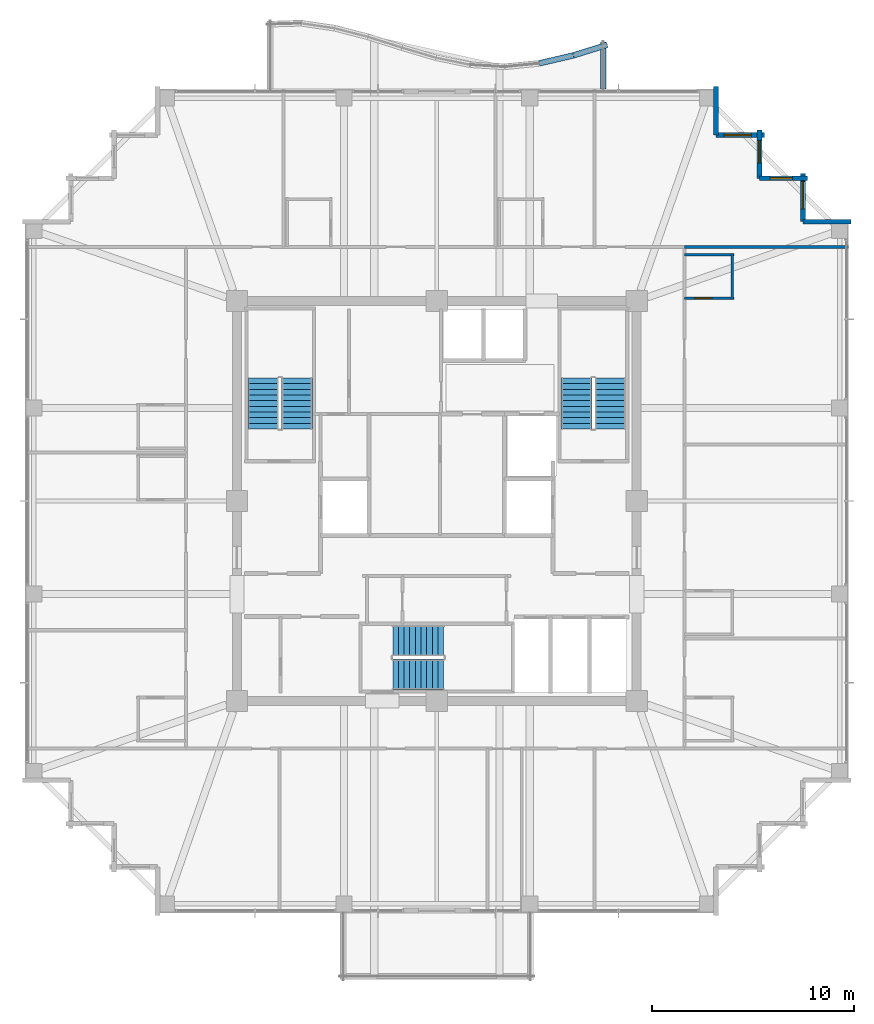
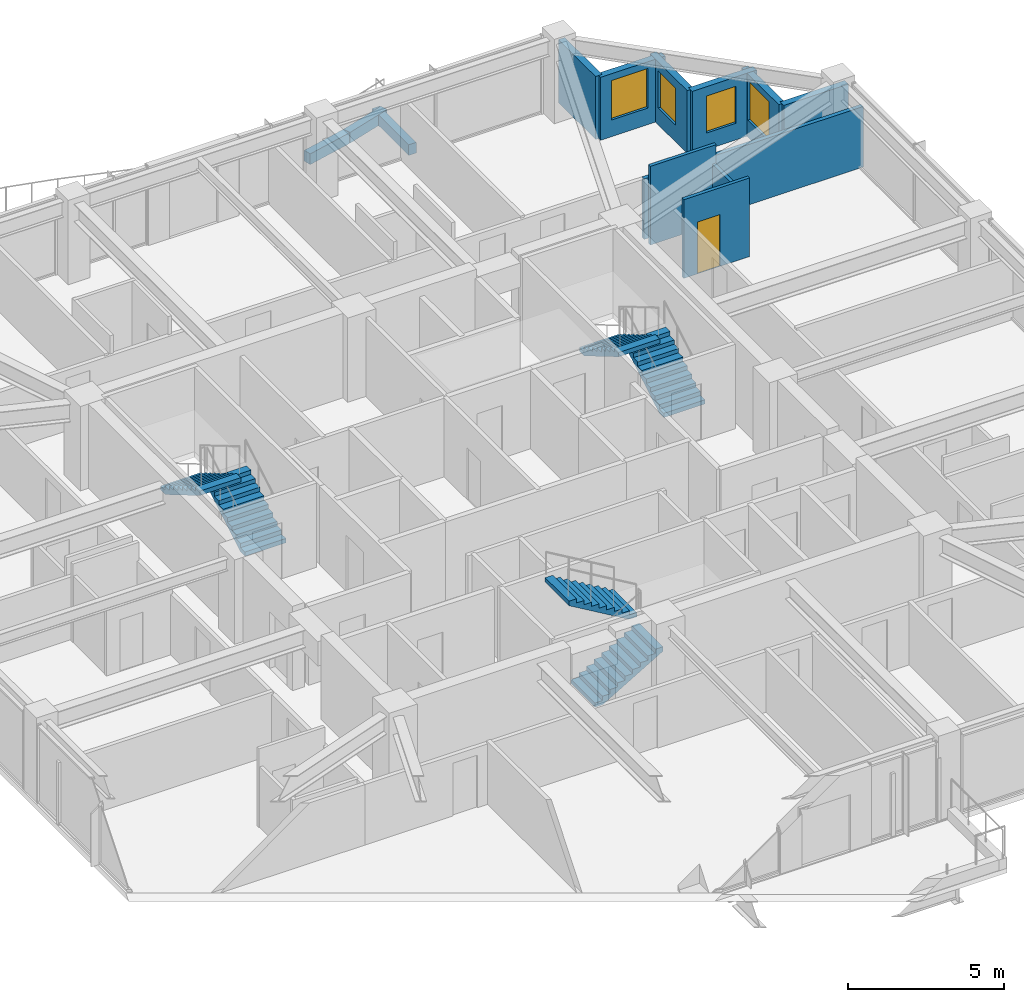
# One storey, part 34 of 36: 13 walls, 6 stair flights, 4 windows, 1 door, 5 openings, 3 elements without a shape of their own.
"""IFC4 building model written with IfcOpenShell, lengths in metres."""

from ifc_helpers import new_model, si_unit, direction, frame, frame_2d, origin, place, context, subcontext, project, spatial, polyline, rectangle, outline, extrude, material, layer, layer_set, type_object, element, fill, aggregate, save


model = new_model("IFC4")

# Units and contexts
model_context = context("Model", 3, precision=1e-05, world=origin(), true_north=direction((0.0, 1.0)))
body_context = subcontext(model_context, "Body", "Model", "MODEL_VIEW")
ifc_project = project(units=[si_unit("LENGTHUNIT", "METRE"), si_unit("AREAUNIT", "SQUARE_METRE"), si_unit("VOLUMEUNIT", "CUBIC_METRE"), si_unit("PLANEANGLEUNIT", "RADIAN"), si_unit("MASSUNIT", "GRAM", prefix="KILO")], contexts=[model_context])

# Site, building, storey
site_placement = place(None, origin())
site = spatial("IfcSite", under=ifc_project, at=site_placement, CompositionType="ELEMENT")
building_placement = place(site_placement, origin())
building = spatial("IfcBuilding", under=site, at=building_placement, Name="Kolvaren Belvedere", CompositionType="ELEMENT")
storey_placement = place(building_placement, frame((0.0, 0.0, 226.199951171875)))
storey = spatial("IfcBuildingStorey", under=building, at=storey_placement, Name="L66", CompositionType="ELEMENT", Elevation=226.199951171875)

# Wall
ifc_material_1 = material(Name="Insulated pale-metal facade wall assembly", Category="aluminium")
ifc_layer_1 = layer(ifc_material_1, 0.239990234375)
ifc_layer_set_1 = layer_set([ifc_layer_1], Name="Insulated pale-metal facade wall assembly")
wall_type_1 = type_object("IfcWallType", Name="WL-EXT-240", PredefinedType="STANDARD", material=ifc_layer_set_1)
wall_1_placement = place(storey_placement, frame((18.1298828125, 13.830078125, 0.0), z_axis=(0.0, 0.0, 1.0), x_axis=(1.0, 0.0, 0.0)))
element("IfcWall", 1, at=wall_1_placement, inside=storey, type_object=wall_type_1, Name="L66 Serrated Corner Facade Wall 9", PredefinedType="STANDARD", context=body_context, shape_type="SweptSolid", body=[
    extrude(rectangle(XDim=2.39013671875, YDim=0.239990234375, at=frame_2d((1.195068359375, 0.0))), origin(), (0.0, 0.0, 1.0), 2.463134765625),
])

# Wall, opening, window
wall_2_placement = place(storey_placement, frame((18.1298828125, 16.219970703125, 0.0), z_axis=(0.0, 0.0, 1.0), x_axis=(0.0, -1.0, 0.0)))
wall_2 = element("IfcWall", 2, at=wall_2_placement, inside=storey, type_object=wall_type_1, Name="L66 Serrated Corner Facade Wall 10", PredefinedType="STANDARD", context=body_context, shape_type="SweptSolid", body=[
    extrude(rectangle(XDim=2.389892578125, YDim=0.239990234375, at=frame_2d((1.19482421875, 0.0))), origin(), (0.0, 0.0, 1.0), 2.463134765625),
])
opening_1_placement = place(wall_2_placement, frame((0.39990234375, 0.0, 0.64990234375)))
opening_1 = element("IfcOpeningElement", 3, at=opening_1_placement, cuts=wall_2, Name="Opening W-1350", PredefinedType="OPENING", context=body_context, shape_type="SweptSolid", body=[
    extrude(rectangle(XDim=1.35009765625, YDim=1.550048828125, at=frame_2d((0.675048828125, 0.77490234375))), frame((0.0, 0.1298828125, 0.0), z_axis=(0.0, -1.0, 0.0), x_axis=(1.0, 0.0, 0.0)), (0.0, 0.0, 1.0), 0.260009765625),
])
ifc_material_2 = material(Name="Low-iron triple insulated glass", Category="glass")
window_type_1 = type_object("IfcWindowType", Name="WN-CORN-1350", PartitioningType="SINGLE_PANEL", PredefinedType="WINDOW", material=ifc_material_2)
window_1_placement = place(opening_1_placement, origin())
window_1 = element("IfcWindow", 4, at=window_1_placement, inside=storey, type_object=window_type_1, Name="L66 Serrated Corner Vision Window 10", OverallHeight=1.550048828125, OverallWidth=1.35009765625, PartitioningType="SINGLE_PANEL", PredefinedType="WINDOW", context=body_context, shape_type="SweptSolid", body=[
    extrude(rectangle(XDim=1.35009765625, YDim=1.550048828125, at=frame_2d((0.675048828125, 0.77490234375))), frame((0.0, 0.030029296875, 0.0), z_axis=(0.0, -1.0, 0.0), x_axis=(1.0, 0.0, 0.0)), (0.0, 0.0, 1.0), 0.06005859375),
])
fill(opening_1, window_1)

wall_3_placement = place(storey_placement, frame((15.97998046875, 15.97998046875, 0.0), z_axis=(0.0, 0.0, 1.0), x_axis=(1.0, 0.0, 0.0)))
wall_3 = element("IfcWall", 5, at=wall_3_placement, inside=storey, type_object=wall_type_1, Name="L66 Serrated Corner Facade Wall 11", PredefinedType="STANDARD", context=body_context, shape_type="SweptSolid", body=[
    extrude(rectangle(XDim=2.39013671875, YDim=0.239990234375, at=frame_2d((1.195068359375, 0.0))), origin(), (0.0, 0.0, 1.0), 2.463134765625),
])
opening_2_placement = place(wall_3_placement, frame((0.52490234375, 0.0, 0.64990234375)))
opening_2 = element("IfcOpeningElement", 6, at=opening_2_placement, cuts=wall_3, Name="Opening W-1100", PredefinedType="OPENING", context=body_context, shape_type="SweptSolid", body=[
    extrude(rectangle(XDim=1.10009765625, YDim=1.449951171875, at=frame_2d((0.550048828125, 0.72509765625))), frame((0.0, 0.1298828125, 0.0), z_axis=(0.0, -1.0, 0.0), x_axis=(1.0, 0.0, 0.0)), (0.0, 0.0, 1.0), 0.260009765625),
])
ifc_material_3 = material(Name="Low-iron triple insulated glass", Category="glass")
window_type_2 = type_object("IfcWindowType", Name="WN-CORN-1100", PartitioningType="SINGLE_PANEL", PredefinedType="WINDOW", material=ifc_material_3)
window_2_placement = place(opening_2_placement, origin())
window_2 = element("IfcWindow", 7, at=window_2_placement, inside=storey, type_object=window_type_2, Name="L66 Serrated Corner Vision Window 11", OverallHeight=1.449951171875, OverallWidth=1.10009765625, PartitioningType="SINGLE_PANEL", PredefinedType="WINDOW", context=body_context, shape_type="SweptSolid", body=[
    extrude(rectangle(XDim=1.10009765625, YDim=1.449951171875, at=frame_2d((0.550048828125, 0.72509765625))), frame((0.0, 0.030029296875, 0.0), z_axis=(0.0, -1.0, 0.0), x_axis=(1.0, 0.0, 0.0)), (0.0, 0.0, 1.0), 0.06005859375),
])
fill(opening_2, window_2)

wall_4_placement = place(storey_placement, frame((15.97998046875, 18.3701171875, 0.0), z_axis=(0.0, 0.0, 1.0), x_axis=(0.0, -1.0, 0.0)))
wall_4 = element("IfcWall", 8, at=wall_4_placement, inside=storey, type_object=wall_type_1, Name="L66 Serrated Corner Facade Wall 12", PredefinedType="STANDARD", context=body_context, shape_type="SweptSolid", body=[
    extrude(rectangle(XDim=2.39013671875, YDim=0.239990234375, at=frame_2d((1.195068359375, 0.0))), origin(), (0.0, 0.0, 1.0), 2.463134765625),
])
opening_3_placement = place(wall_4_placement, frame((0.52490234375, 0.0, 0.64990234375)))
opening_3 = element("IfcOpeningElement", 9, at=opening_3_placement, cuts=wall_4, Name="Opening W-1100", PredefinedType="OPENING", context=body_context, shape_type="SweptSolid", body=[
    extrude(rectangle(XDim=1.10009765625, YDim=1.449951171875, at=frame_2d((0.550048828125, 0.72509765625))), frame((0.0, 0.1298828125, 0.0), z_axis=(0.0, -1.0, 0.0), x_axis=(1.0, 0.0, 0.0)), (0.0, 0.0, 1.0), 0.260009765625),
])
window_3_placement = place(opening_3_placement, origin())
window_3 = element("IfcWindow", 10, at=window_3_placement, inside=storey, type_object=window_type_2, Name="L66 Serrated Corner Vision Window 12", OverallHeight=1.449951171875, OverallWidth=1.10009765625, PartitioningType="SINGLE_PANEL", PredefinedType="WINDOW", context=body_context, shape_type="SweptSolid", body=[
    extrude(rectangle(XDim=1.10009765625, YDim=1.449951171875, at=frame_2d((0.550048828125, 0.72509765625))), frame((0.0, 0.030029296875, 0.0), z_axis=(0.0, -1.0, 0.0), x_axis=(1.0, 0.0, 0.0)), (0.0, 0.0, 1.0), 0.06005859375),
])
fill(opening_3, window_3)

wall_5_placement = place(storey_placement, frame((13.830078125, 18.1298828125, 0.0), z_axis=(0.0, 0.0, 1.0), x_axis=(1.0, 0.0, 0.0)))
wall_5 = element("IfcWall", 11, at=wall_5_placement, inside=storey, type_object=wall_type_1, Name="L66 Serrated Corner Facade Wall 13", PredefinedType="STANDARD", context=body_context, shape_type="SweptSolid", body=[
    extrude(rectangle(XDim=2.389892578125, YDim=0.239990234375, at=frame_2d((1.19482421875, 0.0))), origin(), (0.0, 0.0, 1.0), 2.463134765625),
])
opening_4_placement = place(wall_5_placement, frame((0.39990234375, 0.0, 0.64990234375)))
opening_4 = element("IfcOpeningElement", 12, at=opening_4_placement, cuts=wall_5, Name="Opening W-1350", PredefinedType="OPENING", context=body_context, shape_type="SweptSolid", body=[
    extrude(rectangle(XDim=1.35009765625, YDim=1.550048828125, at=frame_2d((0.675048828125, 0.77490234375))), frame((0.0, 0.1298828125, 0.0), z_axis=(0.0, -1.0, 0.0), x_axis=(1.0, 0.0, 0.0)), (0.0, 0.0, 1.0), 0.260009765625),
])
window_4_placement = place(opening_4_placement, origin())
window_4 = element("IfcWindow", 13, at=window_4_placement, inside=storey, type_object=window_type_1, Name="L66 Serrated Corner Vision Window 13", OverallHeight=1.550048828125, OverallWidth=1.35009765625, PartitioningType="SINGLE_PANEL", PredefinedType="WINDOW", context=body_context, shape_type="SweptSolid", body=[
    extrude(rectangle(XDim=1.35009765625, YDim=1.550048828125, at=frame_2d((0.675048828125, 0.77490234375))), frame((0.0, 0.030029296875, 0.0), z_axis=(0.0, -1.0, 0.0), x_axis=(1.0, 0.0, 0.0)), (0.0, 0.0, 1.0), 0.06005859375),
])
fill(opening_4, window_4)

# Walls
wall_6_placement = place(storey_placement, frame((13.830078125, 20.52001953125, 0.0), z_axis=(0.0, 0.0, 1.0), x_axis=(0.0, -1.0, 0.0)))
element("IfcWall", 14, at=wall_6_placement, inside=storey, type_object=wall_type_1, Name="L66 Serrated Corner Facade Wall 14", PredefinedType="STANDARD", context=body_context, shape_type="SweptSolid", body=[
    extrude(rectangle(XDim=2.39013671875, YDim=0.239990234375, at=frame_2d((1.195068359375, 0.0))), origin(), (0.0, 0.0, 1.0), 2.463134765625),
])
ifc_material_4 = material(Name="Gypsum acoustic partition assembly", Category="gypsum")
ifc_layer_2 = layer(ifc_material_4, 0.14990234375)
ifc_layer_set_2 = layer_set([ifc_layer_2], Name="Gypsum acoustic partition assembly")
wall_type_2 = type_object("IfcWallType", Name="WL-PART-150", PredefinedType="PARTITIONING", material=ifc_layer_set_2)
wall_7_placement = place(storey_placement, frame((12.260009765625, 12.580078125, 0.0), z_axis=(0.0, 0.0, 1.0), x_axis=(1.0, 0.0, 0.0)))
element("IfcWall", 15, at=wall_7_placement, inside=storey, type_object=wall_type_2, Name="L66 Wing Divider PW-L66-QNE", PredefinedType="PARTITIONING", context=body_context, shape_type="SweptSolid", body=[
    extrude(rectangle(XDim=8.119873046875, YDim=0.14990234375, at=frame_2d((4.06005859375, 0.0))), origin(), (0.0, 0.0, 1.0), 2.369140625),
])
ifc_material_5 = material(Name="Precast concrete C40/50", Category="concrete")
ifc_layer_3 = layer(ifc_material_5, 0.300048828125)
ifc_layer_set_3 = layer_set([ifc_layer_3], Name="Precast concrete C40/50")
wall_type_3 = type_object("IfcWallType", Name="WL-PLANTER-300", PredefinedType="PARAPET", material=ifc_layer_set_3)
wall_8_placement = place(storey_placement, frame((8.239990234375, 20.39990234375, -0.0400390625), z_axis=(0.0, 0.0, 1.0), x_axis=(0.0, 1.0, 0.0)))
element("IfcWall", 16, at=wall_8_placement, inside=storey, type_object=wall_type_3, Name="L66 Precast Structural Planter Wall BAL-N-11", PredefinedType="PARAPET", context=body_context, shape_type="SweptSolid", body=[
    extrude(rectangle(XDim=2.340087890625, YDim=0.280029296875, at=frame_2d((1.169921875, 0.0))), origin(), (0.0, 0.0, 1.0), 0.420166015625),
])
wall_9_placement = place(storey_placement, frame((8.447265625, 22.587158203125, -0.0400390625), z_axis=(0.0, 0.0, 1.0), x_axis=(-0.95524013163, -0.295831524561, 0.0)))
element("IfcWall", 17, at=wall_9_placement, inside=storey, type_object=wall_type_3, Name="L66 Precast Structural Planter Wall BAL-N-12", PredefinedType="PARAPET", context=body_context, shape_type="SweptSolid", body=[
    extrude(rectangle(XDim=1.758544921875, YDim=0.280029296875, at=frame_2d((0.87939453125, 0.0))), origin(), (0.0, 0.0, 1.0), 0.420166015625),
])
wall_10_placement = place(storey_placement, frame((6.75634765625, 22.06396484375, -0.0400390625), z_axis=(0.0, 0.0, 1.0), x_axis=(-0.973890253884, -0.227019323824, 0.0)))
element("IfcWall", 18, at=wall_10_placement, inside=storey, type_object=wall_type_3, Name="L66 Precast Structural Planter Wall BAL-N-13", PredefinedType="PARAPET", context=body_context, shape_type="SweptSolid", body=[
    extrude(rectangle(XDim=1.724853515625, YDim=0.280029296875, at=frame_2d((0.8623046875, 0.0))), origin(), (0.0, 0.0, 1.0), 0.420166015625),
])

# Wall, opening, door
ifc_material_6 = material(Name="Moisture-resistant gypsum partition", Category="gypsum")
ifc_layer_4 = layer(ifc_material_6, 0.125)
ifc_layer_set_4 = layer_set([ifc_layer_4], Name="Moisture-resistant gypsum partition")
wall_type_4 = type_object("IfcWallType", Name="WL-WET-125", PredefinedType="PARTITIONING", material=ifc_layer_set_4)
wall_11_placement = place(storey_placement, frame((12.27490234375, 10.051025390625, 0.0), z_axis=(0.0, 0.0, 1.0), x_axis=(1.0, 0.0, 0.0)))
wall_11 = element("IfcWall", 19, at=wall_11_placement, inside=storey, type_object=wall_type_4, Name="L66 Bathroom Partition PW-L66-BTH-6-N", PredefinedType="PARTITIONING", context=body_context, shape_type="SweptSolid", body=[
    extrude(rectangle(XDim=2.440185546875, YDim=0.125, at=frame_2d((1.22021484375, 0.0))), origin(), (0.0, 0.0, 1.0), 3.080078125),
])
opening_5_placement = place(wall_11_placement, frame((0.5, 0.0, 0.0)))
opening_5 = element("IfcOpeningElement", 20, at=opening_5_placement, cuts=wall_11, Name="Opening D-BTH85", PredefinedType="OPENING", context=body_context, shape_type="SweptSolid", body=[
    extrude(rectangle(XDim=0.85009765625, YDim=2.030029296875, at=frame_2d((0.425048828125, 1.01513671875))), frame((0.0, 0.072509765625, 0.0), z_axis=(0.0, -1.0, 0.0), x_axis=(1.0, 0.0, 0.0)), (0.0, 0.0, 1.0), 0.14501953125),
])
ifc_material_7 = material(Name="Moisture-sealed Pacific white oak", Category="timber")
door_type = type_object("IfcDoorType", Name="DR-BATH-850", OperationType="NOTDEFINED", PredefinedType="DOOR", material=ifc_material_7)
door_placement = place(opening_5_placement, origin())
door = element("IfcDoor", 21, at=door_placement, inside=storey, type_object=door_type, Name="L66 En-Suite Bathroom 6606 Door", OperationType="SINGLE_SWING_RIGHT", OverallHeight=2.030029296875, OverallWidth=0.85009765625, PredefinedType="DOOR", context=body_context, shape_type="SweptSolid", body=[
    extrude(rectangle(XDim=0.85009765625, YDim=2.030029296875, at=frame_2d((0.425048828125, 1.01513671875))), frame((0.0, 0.02490234375, 0.0), z_axis=(0.0, -1.0, 0.0), x_axis=(1.0, 0.0, 0.0)), (0.0, 0.0, 1.0), 0.050048828125),
])
fill(opening_5, door)

# Walls
wall_12_placement = place(storey_placement, frame((14.635009765625, 9.990966796875, 0.0), z_axis=(0.0, 0.0, 1.0), x_axis=(0.0, 1.0, 0.0)))
element("IfcWall", 22, at=wall_12_placement, inside=storey, type_object=wall_type_4, Name="L66 Bathroom Partition PW-L66-BTH-6-V", PredefinedType="PARTITIONING", context=body_context, shape_type="SweptSolid", body=[
    extrude(rectangle(XDim=2.27001953125, YDim=0.125, at=frame_2d((1.135009765625, 0.0))), origin(), (0.0, 0.0, 1.0), 2.369140625),
])
wall_13_placement = place(storey_placement, frame((12.27490234375, 12.200927734375, 0.0), z_axis=(0.0, 0.0, 1.0), x_axis=(1.0, 0.0, 0.0)))
element("IfcWall", 23, at=wall_13_placement, inside=storey, type_object=wall_type_4, Name="L66 Bathroom Partition PW-L66-BTH-6-S", PredefinedType="PARTITIONING", context=body_context, shape_type="SweptSolid", body=[
    extrude(rectangle(XDim=2.440185546875, YDim=0.125, at=frame_2d((1.22021484375, 0.0))), origin(), (0.0, 0.0, 1.0), 3.080078125),
])

# Stair, stair flights
ifc_material_8 = material(Name="Concrete C50/60", Category="concrete")
stair_type = type_object("IfcStairType", Name="ST-CORE-1520", PredefinedType="HALF_TURN_STAIR", material=ifc_material_8)
stair_1_placement = place(storey_placement, origin())
stair_1 = element("IfcStair", 24, at=stair_1_placement, inside=storey, type_object=stair_type, Name="L66 Protected Exit Stair ST-1", PredefinedType="HALF_TURN_STAIR")
ifc_material_9 = material(Name="Concrete C50/60", Category="concrete")
stair_flight_type = type_object("IfcStairFlightType", Name="SF-STR-1520", PredefinedType="STRAIGHT", material=ifc_material_9)
stair_flight_1_placement = place(storey_placement, frame((-6.919921875, 3.570068359375, 0.0), z_axis=(0.0, 0.0, 1.0), x_axis=(0.0, 1.0, 0.0)))
stair_flight_1 = element("IfcStairFlight", 25, at=stair_flight_1_placement, type_object=stair_flight_type, Name="ST-1 flight 1", NumberOfRisers=10, NumberOfTreads=9, PredefinedType="STRAIGHT", RiserHeight=0.165, TreadLength=0.28, context=body_context, shape_type="SweptSolid", body=[
    extrude(outline(polyline([(0.0, 0.0), (0.0, 0.1650390625), (0.280029296875, 0.1650390625), (0.280029296875, 0.330078125), (0.56005859375, 0.330078125), (0.56005859375, 0.4951171875), (0.840087890625, 0.4951171875), (0.840087890625, 0.659912109375), (1.1201171875, 0.659912109375), (1.1201171875, 0.824951171875), (1.39990234375, 0.824951171875), (1.39990234375, 0.989990234375), (1.679931640625, 0.989990234375), (1.679931640625, 1.155029296875), (1.9599609375, 1.155029296875), (1.9599609375, 1.320068359375), (2.239990234375, 1.320068359375), (2.239990234375, 1.485107421875), (2.52001953125, 1.485107421875), (2.52001953125, 1.64990234375), (2.52001953125, 1.31103515625), (0.295166015625, 0.0), (0.0, 0.0)])), frame((0.0, 0.760009765625, 0.0), z_axis=(0.0, -1.0, 0.0), x_axis=(1.0, 0.0, 0.0)), (0.0, 0.0, 1.0), 1.52001953125),
])
stair_flight_2_placement = place(storey_placement, frame((-8.590087890625, 6.090087890625, 1.650146484375), z_axis=(0.0, 0.0, 1.0), x_axis=(0.0, -1.0, 0.0)))
stair_flight_2 = element("IfcStairFlight", 26, at=stair_flight_2_placement, type_object=stair_flight_type, Name="ST-1 flight 2", NumberOfRisers=10, NumberOfTreads=9, PredefinedType="STRAIGHT", RiserHeight=0.165, TreadLength=0.28, context=body_context, shape_type="SweptSolid", body=[
    extrude(outline(polyline([(0.0, 0.0), (0.0, 0.1650390625), (0.280029296875, 0.1650390625), (0.280029296875, 0.330078125), (0.56005859375, 0.330078125), (0.56005859375, 0.4951171875), (0.840087890625, 0.4951171875), (0.840087890625, 0.659912109375), (1.1201171875, 0.659912109375), (1.1201171875, 0.824951171875), (1.39990234375, 0.824951171875), (1.39990234375, 0.989990234375), (1.679931640625, 0.989990234375), (1.679931640625, 1.155029296875), (1.9599609375, 1.155029296875), (1.9599609375, 1.320068359375), (2.239990234375, 1.320068359375), (2.239990234375, 1.485107421875), (2.52001953125, 1.485107421875), (2.52001953125, 1.64990234375), (2.52001953125, 1.31103515625), (0.295166015625, 0.0), (0.0, 0.0)])), frame((0.0, 0.760009765625, 0.0), z_axis=(0.0, -1.0, 0.0), x_axis=(1.0, 0.0, 0.0)), (0.0, 0.0, 1.0), 1.52001953125),
])
aggregate(stair_1, [stair_flight_1, stair_flight_2])

stair_2_placement = place(storey_placement, origin())
stair_2 = element("IfcStair", 27, at=stair_2_placement, inside=storey, type_object=stair_type, Name="L66 Protected Exit Stair ST-2", PredefinedType="HALF_TURN_STAIR")
stair_flight_3_placement = place(storey_placement, frame((8.590087890625, 3.570068359375, 0.0), z_axis=(0.0, 0.0, 1.0), x_axis=(0.0, 1.0, 0.0)))
stair_flight_3 = element("IfcStairFlight", 28, at=stair_flight_3_placement, type_object=stair_flight_type, Name="ST-2 flight 1", NumberOfRisers=10, NumberOfTreads=9, PredefinedType="STRAIGHT", RiserHeight=0.165, TreadLength=0.28, context=body_context, shape_type="SweptSolid", body=[
    extrude(outline(polyline([(0.0, 0.0), (0.0, 0.1650390625), (0.280029296875, 0.1650390625), (0.280029296875, 0.330078125), (0.56005859375, 0.330078125), (0.56005859375, 0.4951171875), (0.840087890625, 0.4951171875), (0.840087890625, 0.659912109375), (1.1201171875, 0.659912109375), (1.1201171875, 0.824951171875), (1.39990234375, 0.824951171875), (1.39990234375, 0.989990234375), (1.679931640625, 0.989990234375), (1.679931640625, 1.155029296875), (1.9599609375, 1.155029296875), (1.9599609375, 1.320068359375), (2.239990234375, 1.320068359375), (2.239990234375, 1.485107421875), (2.52001953125, 1.485107421875), (2.52001953125, 1.64990234375), (2.52001953125, 1.31103515625), (0.295166015625, 0.0), (0.0, 0.0)])), frame((0.0, 0.760009765625, 0.0), z_axis=(0.0, -1.0, 0.0), x_axis=(1.0, 0.0, 0.0)), (0.0, 0.0, 1.0), 1.52001953125),
])
stair_flight_4_placement = place(storey_placement, frame((6.919921875, 6.090087890625, 1.650146484375), z_axis=(0.0, 0.0, 1.0), x_axis=(0.0, -1.0, 0.0)))
stair_flight_4 = element("IfcStairFlight", 29, at=stair_flight_4_placement, type_object=stair_flight_type, Name="ST-2 flight 2", NumberOfRisers=10, NumberOfTreads=9, PredefinedType="STRAIGHT", RiserHeight=0.165, TreadLength=0.28, context=body_context, shape_type="SweptSolid", body=[
    extrude(outline(polyline([(0.0, 0.0), (0.0, 0.1650390625), (0.280029296875, 0.1650390625), (0.280029296875, 0.330078125), (0.56005859375, 0.330078125), (0.56005859375, 0.4951171875), (0.840087890625, 0.4951171875), (0.840087890625, 0.659912109375), (1.1201171875, 0.659912109375), (1.1201171875, 0.824951171875), (1.39990234375, 0.824951171875), (1.39990234375, 0.989990234375), (1.679931640625, 0.989990234375), (1.679931640625, 1.155029296875), (1.9599609375, 1.155029296875), (1.9599609375, 1.320068359375), (2.239990234375, 1.320068359375), (2.239990234375, 1.485107421875), (2.52001953125, 1.485107421875), (2.52001953125, 1.64990234375), (2.52001953125, 1.31103515625), (0.295166015625, 0.0), (0.0, 0.0)])), frame((0.0, 0.760009765625, 0.0), z_axis=(0.0, -1.0, 0.0), x_axis=(1.0, 0.0, 0.0)), (0.0, 0.0, 1.0), 1.52001953125),
])
aggregate(stair_2, [stair_flight_3, stair_flight_4])

stair_3_placement = place(storey_placement, origin())
stair_3 = element("IfcStair", 30, at=stair_3_placement, inside=storey, type_object=stair_type, Name="L66 Protected Exit Stair ST-3", PredefinedType="HALF_TURN_STAIR")
stair_flight_5_placement = place(storey_placement, frame((-2.179931640625, -8.590087890625, 0.0), z_axis=(0.0, 0.0, 1.0), x_axis=(1.0, 0.0, 0.0)))
stair_flight_5 = element("IfcStairFlight", 31, at=stair_flight_5_placement, type_object=stair_flight_type, Name="ST-3 flight 1", NumberOfRisers=10, NumberOfTreads=9, PredefinedType="STRAIGHT", RiserHeight=0.165, TreadLength=0.28, context=body_context, shape_type="SweptSolid", body=[
    extrude(outline(polyline([(0.0, 0.0), (0.0, 0.1650390625), (0.280029296875, 0.1650390625), (0.280029296875, 0.330078125), (0.56005859375, 0.330078125), (0.56005859375, 0.4951171875), (0.840087890625, 0.4951171875), (0.840087890625, 0.659912109375), (1.1201171875, 0.659912109375), (1.1201171875, 0.824951171875), (1.39990234375, 0.824951171875), (1.39990234375, 0.989990234375), (1.679931640625, 0.989990234375), (1.679931640625, 1.155029296875), (1.9599609375, 1.155029296875), (1.9599609375, 1.320068359375), (2.239990234375, 1.320068359375), (2.239990234375, 1.485107421875), (2.52001953125, 1.485107421875), (2.52001953125, 1.64990234375), (2.52001953125, 1.31103515625), (0.295166015625, 0.0), (0.0, 0.0)])), frame((0.0, 0.760009765625, 0.0), z_axis=(0.0, -1.0, 0.0), x_axis=(1.0, 0.0, 0.0)), (0.0, 0.0, 1.0), 1.52001953125),
])
stair_flight_6_placement = place(storey_placement, frame((0.340087890625, -6.919921875, 1.650146484375), z_axis=(0.0, 0.0, 1.0), x_axis=(-1.0, 0.0, 0.0)))
stair_flight_6 = element("IfcStairFlight", 32, at=stair_flight_6_placement, type_object=stair_flight_type, Name="ST-3 flight 2", NumberOfRisers=10, NumberOfTreads=9, PredefinedType="STRAIGHT", RiserHeight=0.165, TreadLength=0.28, context=body_context, shape_type="SweptSolid", body=[
    extrude(outline(polyline([(0.0, 0.0), (0.0, 0.1650390625), (0.280029296875, 0.1650390625), (0.280029296875, 0.330078125), (0.56005859375, 0.330078125), (0.56005859375, 0.4951171875), (0.840087890625, 0.4951171875), (0.840087890625, 0.659912109375), (1.1201171875, 0.659912109375), (1.1201171875, 0.824951171875), (1.39990234375, 0.824951171875), (1.39990234375, 0.989990234375), (1.679931640625, 0.989990234375), (1.679931640625, 1.155029296875), (1.9599609375, 1.155029296875), (1.9599609375, 1.320068359375), (2.239990234375, 1.320068359375), (2.239990234375, 1.485107421875), (2.52001953125, 1.485107421875), (2.52001953125, 1.64990234375), (2.52001953125, 1.31103515625), (0.295166015625, 0.0), (0.0, 0.0)])), frame((0.0, 0.760009765625, 0.0), z_axis=(0.0, -1.0, 0.0), x_axis=(1.0, 0.0, 0.0)), (0.0, 0.0, 1.0), 1.52001953125),
])
aggregate(stair_3, [stair_flight_5, stair_flight_6])

save(model, "model.ifc")
